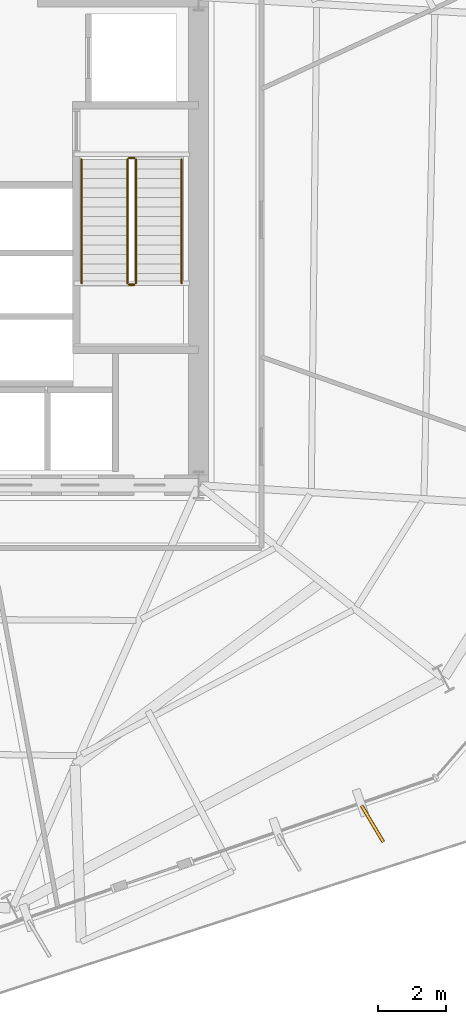
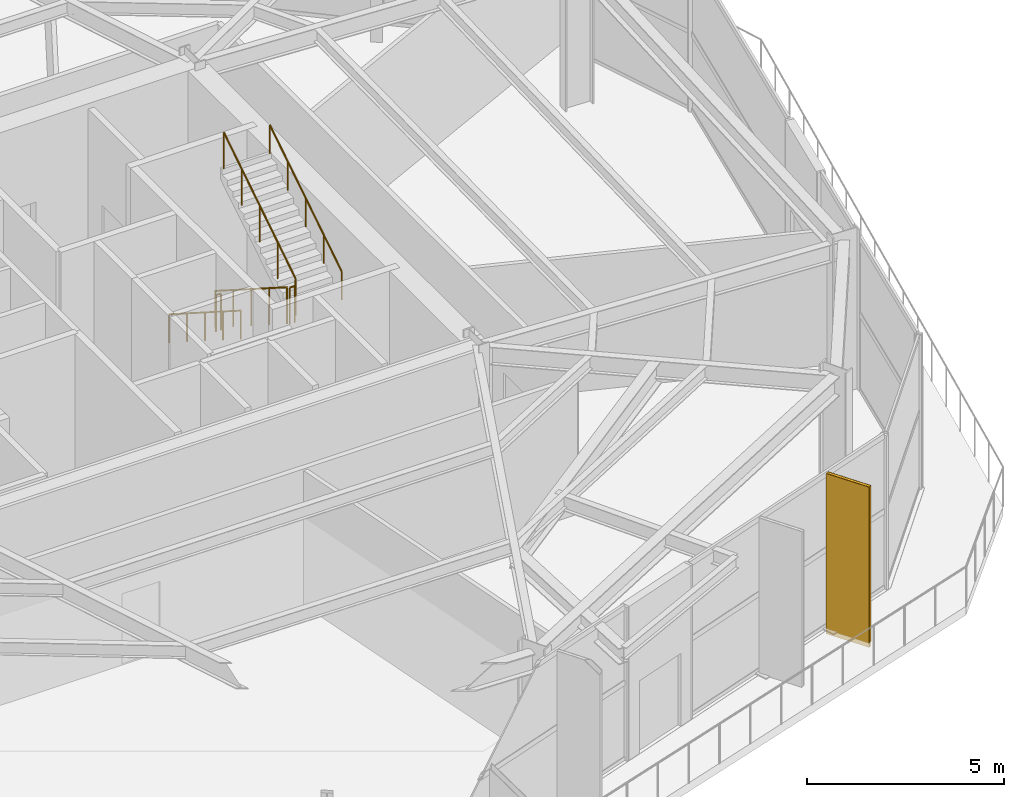
# One storey, part 15 of 16: 6 railings, 1 covering, 1 shading device.
"""IFC4 building model written with IfcOpenShell, lengths in metres."""

from ifc_helpers import new_model, si_unit, direction, frame, origin, origin_2d, place, context, subcontext, project, spatial, rectangle, circle, extrude, material, layer, layer_set, type_object, element, save


model = new_model("IFC4")

# Units and contexts
model_context = context("Model", 3, precision=1e-05, world=origin(), true_north=direction((0.0, 1.0)))
body_context = subcontext(model_context, "Body", "Model", "MODEL_VIEW")
ifc_project = project(units=[si_unit("LENGTHUNIT", "METRE"), si_unit("AREAUNIT", "SQUARE_METRE"), si_unit("VOLUMEUNIT", "CUBIC_METRE"), si_unit("PLANEANGLEUNIT", "RADIAN"), si_unit("MASSUNIT", "GRAM", prefix="KILO")], contexts=[model_context])

# Site, building, storey
site_placement = place(None, origin())
site = spatial("IfcSite", under=ifc_project, at=site_placement, CompositionType="ELEMENT")
building_placement = place(site_placement, origin())
building = spatial("IfcBuilding", under=site, at=building_placement, Name="Kranzbogen Civic Tower", CompositionType="ELEMENT")
storey_placement = place(building_placement, frame((0.0, 0.0, 97.39990234375)))
storey = spatial("IfcBuildingStorey", under=building, at=storey_placement, Name="L23", CompositionType="ELEMENT", Elevation=97.39990234375)

# Covering
ifc_material_1 = material(Name="Pale Anodised Aluminium", Category="aluminium")
ifc_layer = layer(ifc_material_1, 0.02490234375, Name="Pale Anodised Aluminium")
ifc_layer_set = layer_set([ifc_layer], Name="Pale Anodised Aluminium")
covering_type = type_object("IfcCoveringType", Name="Anodised Aluminium Vertical Fin Cladding 25 mm", PredefinedType="CLADDING", material=ifc_layer_set)
covering_placement = place(storey_placement, frame((37.928955078125, 7.81103515625, -0.139892578125), z_axis=(0.0, 0.0, 1.0), x_axis=(0.512582464182, -0.858638001379, 0.0)))
element("IfcCovering", 1, at=covering_placement, inside=storey, type_object=covering_type, Name="L23 vertical fin pale-metal cladding F5-6", PredefinedType="CLADDING", context=body_context, shape_type="SweptSolid", body=[
    extrude(rectangle(XDim=1.25, YDim=0.10009765625, at=origin_2d()), origin(), (0.0, 0.0, 1.0), 4.9599609375),
])

# Shading device
ifc_material_2 = material(Name="Anodised Bronze Aluminium", Category="aluminium")
shading_device_type = type_object("IfcShadingDeviceType", Name="Anodised Bronze Vertical Facade Fin 1250x80", PredefinedType="USERDEFINED", material=ifc_material_2)
shading_device_placement = place(storey_placement, frame((37.928955078125, 7.81103515625, -0.139892578125), z_axis=(0.0, 0.0, 1.0), x_axis=(0.512582464182, -0.858638001379, 0.0)))
element("IfcShadingDevice", 2, at=shading_device_placement, inside=storey, type_object=shading_device_type, Name="L23 vertical exterior shading fin F5-6", ObjectType="FIN", PredefinedType="USERDEFINED", context=body_context, shape_type="SweptSolid", body=[
    extrude(rectangle(XDim=1.25, YDim=0.080078125, at=origin_2d()), origin(), (0.0, 0.0, 1.0), 4.9599609375),
])

# Railings
ifc_material_3 = material(Name="Steel S355", Category="steel")
railing_type_1 = type_object("IfcRailingType", Name="Internal Stair and Void Steel Guardrail 1150", PredefinedType="GUARDRAIL", material=ifc_material_3)
railing_1_placement = place(storey_placement, frame((30.699951171875, 27.39990234375, 0.1787109375)))
element("IfcRailing", 3, at=railing_1_placement, inside=storey, type_object=railing_type_1, Name="L23 ST-T2 stair guard 1", PredefinedType="GUARDRAIL", context=body_context, shape_type="SweptSolid", body=[
    extrude(circle(Radius=0.02392578125, at=origin_2d()), frame((0.0, 0.0, 1.1259765625), z_axis=(0.0, -0.843137146238, 0.537698570422), x_axis=(1.0, 0.0, 0.0)), (0.0, 0.0, 1.0), 4.317138671875),
    extrude(circle(Radius=0.02099609375, at=origin_2d()), origin(), (0.0, 0.0, 1.0), 1.101806640625),
    extrude(circle(Radius=0.02099609375, at=origin_2d()), frame((0.0, -0.909912109375, 0.580322265625)), (0.0, 0.0, 1.0), 1.101806640625),
    extrude(circle(Radius=0.02099609375, at=origin_2d()), frame((0.0, -1.81982421875, 1.16064453125)), (0.0, 0.0, 1.0), 1.101806640625),
    extrude(circle(Radius=0.02099609375, at=origin_2d()), frame((0.0, -2.72998046875, 1.740966796875)), (0.0, 0.0, 1.0), 1.101806640625),
    extrude(circle(Radius=0.02099609375, at=origin_2d()), frame((0.0, -3.639892578125, 2.3212890625)), (0.0, 0.0, 1.0), 1.101806640625),
])
railing_2_placement = place(storey_placement, frame((30.75, 23.7099609375, 2.5)))
element("IfcRailing", 4, at=railing_2_placement, inside=storey, type_object=railing_type_1, Name="L23 ST-T2 stair guard 2", PredefinedType="GUARDRAIL", context=body_context, shape_type="SweptSolid", body=[
    extrude(circle(Radius=0.02392578125, at=origin_2d()), frame((0.0, 0.0, 1.1259765625), z_axis=(1.0, 0.0, 0.0), x_axis=(0.0, 1.0, 0.0)), (0.0, 0.0, 1.0), 0.14990234375),
    extrude(circle(Radius=0.02099609375, at=origin_2d()), origin(), (0.0, 0.0, 1.0), 1.101806640625),
    extrude(circle(Radius=0.02099609375, at=origin_2d()), frame((0.14990234375, 0.0, 0.0)), (0.0, 0.0, 1.0), 1.101806640625),
])
railing_3_placement = place(storey_placement, frame((30.949951171875, 23.760009765625, 2.6787109375)))
element("IfcRailing", 5, at=railing_3_placement, inside=storey, type_object=railing_type_1, Name="L23 ST-T2 stair guard 3", PredefinedType="GUARDRAIL", context=body_context, shape_type="SweptSolid", body=[
    extrude(circle(Radius=0.02392578125, at=origin_2d()), frame((0.0, 0.0, 1.1259765625), z_axis=(0.0, 0.843137146238, 0.537698570422), x_axis=(-1.0, 0.0, 0.0)), (0.0, 0.0, 1.0), 4.317138671875),
    extrude(circle(Radius=0.02099609375, at=origin_2d()), origin(), (0.0, 0.0, 1.0), 1.101806640625),
    extrude(circle(Radius=0.02099609375, at=origin_2d()), frame((0.0, 0.909912109375, 0.580322265625)), (0.0, 0.0, 1.0), 1.101806640625),
    extrude(circle(Radius=0.02099609375, at=origin_2d()), frame((0.0, 1.81982421875, 1.16064453125)), (0.0, 0.0, 1.0), 1.101806640625),
    extrude(circle(Radius=0.02099609375, at=origin_2d()), frame((0.0, 2.72998046875, 1.740966796875)), (0.0, 0.0, 1.0), 1.101806640625),
    extrude(circle(Radius=0.02099609375, at=origin_2d()), frame((0.0, 3.639892578125, 2.3212890625)), (0.0, 0.0, 1.0), 1.101806640625),
])
railing_4_placement = place(storey_placement, frame((30.75, 27.449951171875, 0.0)))
element("IfcRailing", 6, at=railing_4_placement, inside=storey, type_object=railing_type_1, Name="L23 ST-T2 stair guard 4", PredefinedType="GUARDRAIL", context=body_context, shape_type="SweptSolid", body=[
    extrude(circle(Radius=0.02392578125, at=origin_2d()), frame((0.0, 0.0, 1.1259765625), z_axis=(1.0, 0.0, 0.0), x_axis=(0.0, 1.0, 0.0)), (0.0, 0.0, 1.0), 0.14990234375),
    extrude(circle(Radius=0.02099609375, at=origin_2d()), origin(), (0.0, 0.0, 1.0), 1.101806640625),
    extrude(circle(Radius=0.02099609375, at=origin_2d()), frame((0.14990234375, 0.0, 0.0)), (0.0, 0.0, 1.0), 1.101806640625),
])
railing_type_2 = type_object("IfcRailingType", Name="Tubular Stainless Stair Wall Handrail 900", PredefinedType="HANDRAIL", material=ifc_material_1)
railing_5_placement = place(storey_placement, frame((29.35009765625, 27.39990234375, 0.1787109375)))
element("IfcRailing", 7, at=railing_5_placement, inside=storey, type_object=railing_type_2, Name="L23 ST-T2 stair handrail 1", PredefinedType="HANDRAIL", context=body_context, shape_type="SweptSolid", body=[
    extrude(circle(Radius=0.02392578125, at=origin_2d()), frame((0.0, 0.0, 0.8759765625), z_axis=(0.0, -0.843137146238, 0.537698570422), x_axis=(1.0, 0.0, 0.0)), (0.0, 0.0, 1.0), 4.317138671875),
    extrude(circle(Radius=0.02099609375, at=origin_2d()), origin(), (0.0, 0.0, 1.0), 0.851806640625),
    extrude(circle(Radius=0.02099609375, at=origin_2d()), frame((0.0, -0.909912109375, 0.580322265625)), (0.0, 0.0, 1.0), 0.851806640625),
    extrude(circle(Radius=0.02099609375, at=origin_2d()), frame((0.0, -1.81982421875, 1.16064453125)), (0.0, 0.0, 1.0), 0.851806640625),
    extrude(circle(Radius=0.02099609375, at=origin_2d()), frame((0.0, -2.72998046875, 1.740966796875)), (0.0, 0.0, 1.0), 0.851806640625),
    extrude(circle(Radius=0.02099609375, at=origin_2d()), frame((0.0, -3.639892578125, 2.3212890625)), (0.0, 0.0, 1.0), 0.851806640625),
])
railing_6_placement = place(storey_placement, frame((32.300048828125, 23.760009765625, 2.6787109375)))
element("IfcRailing", 8, at=railing_6_placement, inside=storey, type_object=railing_type_2, Name="L23 ST-T2 stair handrail 2", PredefinedType="HANDRAIL", context=body_context, shape_type="SweptSolid", body=[
    extrude(circle(Radius=0.02392578125, at=origin_2d()), frame((0.0, 0.0, 0.8759765625), z_axis=(0.0, 0.843137146238, 0.537698570422), x_axis=(-1.0, 0.0, 0.0)), (0.0, 0.0, 1.0), 4.317138671875),
    extrude(circle(Radius=0.02099609375, at=origin_2d()), origin(), (0.0, 0.0, 1.0), 0.851806640625),
    extrude(circle(Radius=0.02099609375, at=origin_2d()), frame((0.0, 0.909912109375, 0.580322265625)), (0.0, 0.0, 1.0), 0.851806640625),
    extrude(circle(Radius=0.02099609375, at=origin_2d()), frame((0.0, 1.81982421875, 1.16064453125)), (0.0, 0.0, 1.0), 0.851806640625),
    extrude(circle(Radius=0.02099609375, at=origin_2d()), frame((0.0, 2.72998046875, 1.740966796875)), (0.0, 0.0, 1.0), 0.851806640625),
    extrude(circle(Radius=0.02099609375, at=origin_2d()), frame((0.0, 3.639892578125, 2.3212890625)), (0.0, 0.0, 1.0), 0.851806640625),
])

save(model, "model.ifc")
